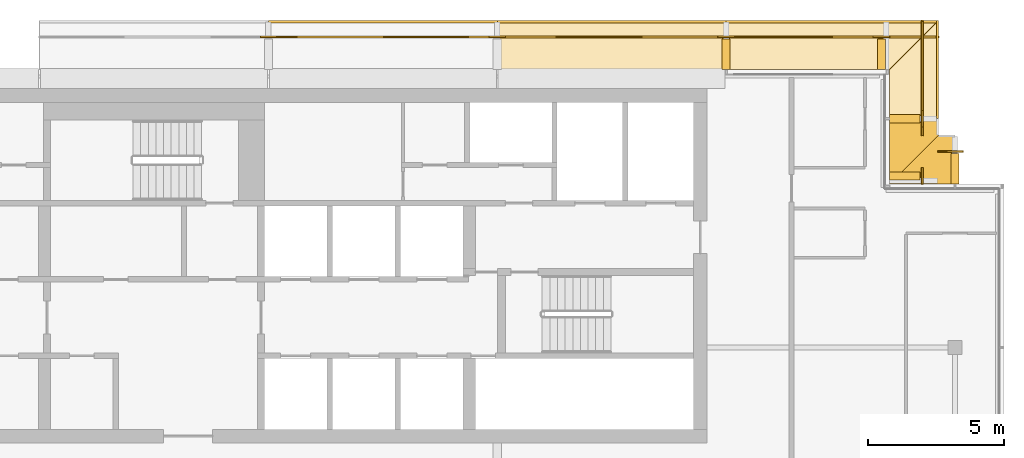
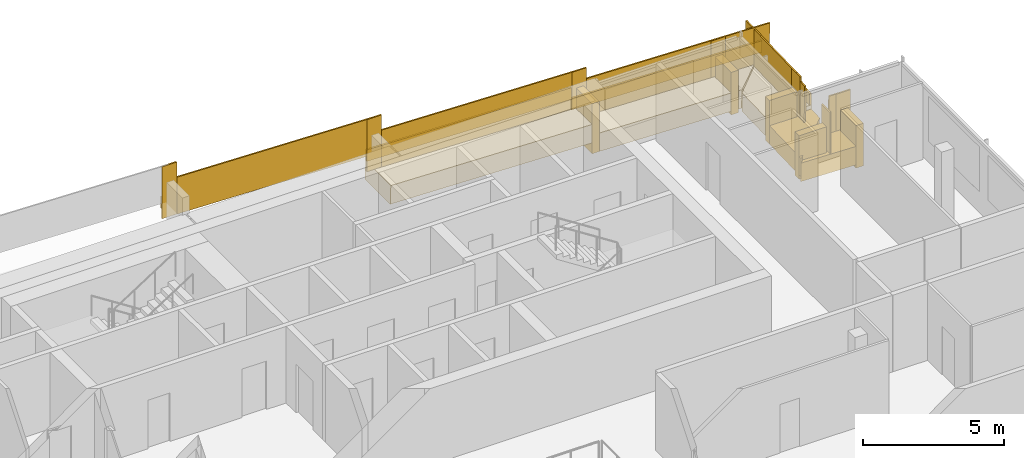
# One storey, part 20 of 22: 14 coverings, 13 railings.
"""IFC4 building model written with IfcOpenShell, lengths in metres."""

from ifc_helpers import new_model, si_unit, direction, frame, origin, origin_2d, place, context, subcontext, project, spatial, polyline, rectangle, outline, extrude, material, layer, layer_set, type_object, element, save


model = new_model("IFC4")

# Units and contexts
model_context = context("Model", 3, precision=1e-05, world=origin(), true_north=direction((0.0, 1.0)))
body_context = subcontext(model_context, "Body", "Model", "MODEL_VIEW")
ifc_project = project(units=[si_unit("LENGTHUNIT", "METRE"), si_unit("AREAUNIT", "SQUARE_METRE"), si_unit("VOLUMEUNIT", "CUBIC_METRE"), si_unit("PLANEANGLEUNIT", "RADIAN"), si_unit("MASSUNIT", "GRAM", prefix="KILO")], contexts=[model_context])

# Site, building, storey
site_placement = place(None, origin())
site = spatial("IfcSite", under=ifc_project, at=site_placement, CompositionType="ELEMENT")
building_placement = place(site_placement, origin())
building = spatial("IfcBuilding", under=site, at=building_placement, Name="Saffron Gate Tower", CompositionType="ELEMENT")
storey_placement = place(building_placement, frame((0.0, 0.0, 295.949951171875)))
storey = spatial("IfcBuildingStorey", under=building, at=storey_placement, Name="L72", CompositionType="ELEMENT", Elevation=295.949951171875)

# Coverings
ifc_material = material(Name="Timber, thermally modified ash", Category="wood")
ifc_layer_1 = layer(ifc_material, 0.800048828125)
ifc_layer_set_1 = layer_set([ifc_layer_1], Name="LD1 ledge timber")
covering_type_1 = type_object("IfcCoveringType", Name="LD1 ledge timber", PredefinedType="CLADDING", material=ifc_layer_set_1)
covering_1_placement = place(storey_placement, frame((117.0, 71.39990234375, 0.024658203125), z_axis=(0.028796646545, -2.5552475e-05, 0.999585290255), x_axis=(-0.999585290582, -4.9e-10, 0.028796646555)))
element("IfcCovering", 1, at=covering_1_placement, inside=storey, type_object=covering_type_1, Name="LEDGE", PredefinedType="CLADDING", context=body_context, shape_type="SweptSolid", body=[
    extrude(outline(polyline([(0.0, 0.0), (2.400896693699368, -2.117582368135751e-22), (0.600347949840283, -1.8000488290065384), (-8.81172729663379e-10, -1.8000488275373479), (0.0, 0.0)])), origin(), (0.0, 0.0, -1.0), 0.800048828125),
])
covering_2_placement = place(storey_placement, frame((114.60009765625, 71.39990234375, 0.28076171875), z_axis=(-7.83385e-07, -0.028875577331, 0.999583013578), x_axis=(0.0, 0.999583013578, 0.028875577331)))
element("IfcCovering", 2, at=covering_2_placement, inside=storey, type_object=covering_type_1, Name="LEDGE", PredefinedType="CLADDING", context=body_context, shape_type="SweptSolid", body=[
    extrude(outline(polyline([(0.0, 0.0), (2.4011477711054536, 0.0), (2.4011477711062814, -1.7998046874994478), (1.8007998186244996, -1.7998046875008284), (0.0, 0.0)])), origin(), (0.0, 0.0, -1.0), 0.800048828125),
])
covering_3_placement = place(storey_placement, frame((114.60009765625, 73.800048828125, 0.536865234375), z_axis=(4.3893604e-05, -0.028833291474, 0.999584233257), x_axis=(-1.926e-09, 0.99958423422, 0.028833291502)))
element("IfcCovering", 3, at=covering_3_placement, inside=storey, type_object=covering_type_1, Name="LEDGE", PredefinedType="CLADDING", context=body_context, shape_type="SweptSolid", body=[
    extrude(outline(polyline([(0.0, 0.0), (1.8007998168930421, -4.235164736271502e-22), (3.6013485518229187, -1.7998046961684937), (-3.4656747156648246e-09, -1.7998046857662044), (0.0, 0.0)])), origin(), (0.0, 0.0, -1.0), 0.800048828125),
])
covering_4_placement = place(storey_placement, frame((114.60009765625, 75.60009765625, 0.72900390625), z_axis=(0.028789985935, -2.2222876e-05, 0.999585482195), x_axis=(-0.999585482442, 1.48e-10, 0.028789985943)))
element("IfcCovering", 4, at=covering_4_placement, inside=storey, type_object=covering_type_1, Name="LEDGE", PredefinedType="CLADDING", context=body_context, shape_type="SweptSolid", body=[
    extrude(outline(polyline([(0.0, 0.0), (6.002489288708389, 0.0), (6.002489288974903, -1.7998046870555775), (-1.8005487432843987, -1.799804689099891), (0.0, 0.0)])), origin(), (0.0, 0.0, -1.0), 0.800048828125),
])
covering_5_placement = place(storey_placement, frame((108.60009765625, 75.60009765625, 1.369384765625), z_axis=(0.028790339263, 0.0, 0.999585472266), x_axis=(-0.999585472266, 0.0, 0.028790339263)))
element("IfcCovering", 5, at=covering_5_placement, inside=storey, type_object=covering_type_1, Name="LEDGE", PredefinedType="CLADDING", context=body_context, shape_type="SweptSolid", body=[
    extrude(outline(polyline([(0.0, 0.0), (8.403630022085892, 0.0), (8.403630022085892, -1.7998046875), (0.0, -1.7998046875), (0.0, 0.0)])), origin(), (0.0, 0.0, -1.0), 0.800048828125),
])
ifc_layer_2 = layer(ifc_material, 0.080078125)
ifc_layer_set_2 = layer_set([ifc_layer_2], Name="LD2 ledge planter trough")
covering_type_2 = type_object("IfcCoveringType", Name="LD2 ledge planter trough", PredefinedType="CLADDING", material=ifc_layer_set_2)
covering_6_placement = place(storey_placement, frame((116.39990234375, 73.800048828125, 0.536865234375), z_axis=(1.0, 0.0, 0.0), x_axis=(0.0, 0.999584866472, 0.028811364412)))
element("IfcCovering", 6, at=covering_6_placement, inside=storey, type_object=covering_type_2, Name="LEDGE planter trough", PredefinedType="CLADDING", context=body_context, shape_type="SweptSolid", body=[
    extrude(outline(polyline([(0.0, 0.0), (3.601348556155073, 0.0), (3.6157542383609322, 0.49979243323622236), (0.01440568220585924, 0.49979243323622236), (0.0, 0.0)])), origin(), (0.0, 0.0, -1.0), 0.080078125),
])
covering_7_placement = place(storey_placement, frame((116.39990234375, 77.39990234375, 0.67724609375), z_axis=(0.0, 1.0, 0.0), x_axis=(-0.999585630001, 0.0, 0.028784862264)))
element("IfcCovering", 7, at=covering_7_placement, inside=storey, type_object=covering_type_2, Name="LEDGE planter trough", PredefinedType="CLADDING", context=body_context, shape_type="SweptSolid", body=[
    extrude(outline(polyline([(0.0, 0.0), (7.80303803236181, 2.7755575615628914e-17), (7.817430463493663, 0.4997928150004909), (0.014392431131853373, 0.49979281500049083), (0.0, 0.0)])), origin(), (0.0, 0.0, -1.0), 0.080078125),
])
covering_8_placement = place(storey_placement, frame((108.60009765625, 77.39990234375, 1.369384765625), z_axis=(0.0, 1.0, 0.0), x_axis=(-0.999585472266, 0.0, 0.028790339263)))
element("IfcCovering", 8, at=covering_8_placement, inside=storey, type_object=covering_type_2, Name="LEDGE planter trough", PredefinedType="CLADDING", context=body_context, shape_type="SweptSolid", body=[
    extrude(outline(polyline([(0.0, 0.0), (8.403630022085892, 0.0), (8.418025191717298, 0.4997927361329725), (0.014395169631405694, 0.4997927361329725), (0.0, 0.0)])), origin(), (0.0, 0.0, -1.0), 0.080078125),
])
covering_9_placement = place(storey_placement, frame((100.199951171875, 77.39990234375, 2.265869140625), z_axis=(0.0, 1.0, 0.0), x_axis=(-0.999585448184, 0.0, 0.028791175352)))
element("IfcCovering", 9, at=covering_9_placement, inside=storey, type_object=covering_type_2, Name="LEDGE planter trough", PredefinedType="CLADDING", context=body_context, shape_type="SweptSolid", body=[
    extrude(outline(polyline([(0.0, 0.0), (8.403385982666892, 0.0), (8.417781570342743, 0.49979272409216496), (0.014395587675851172, 0.4997927240921649), (0.0, 0.0)])), origin(), (0.0, 0.0, -1.0), 0.080078125),
])
ifc_layer_3 = layer(ifc_material, 0.300048828125)
ifc_layer_set_3 = layer_set([ifc_layer_3], Name="LD3 ledge riser fin")
covering_type_3 = type_object("IfcCoveringType", Name="LD3 ledge riser fin", PredefinedType="CLADDING", material=ifc_layer_set_3)
covering_10_placement = place(storey_placement, frame((117.0, 71.9599609375, -0.91552734375), z_axis=(0.0, 0.0, 1.0), x_axis=(-1.0, 0.0, 0.0)))
element("IfcCovering", 10, at=covering_10_placement, inside=storey, type_object=covering_type_3, Name="LEDGE riser fin", PredefinedType="CLADDING", context=body_context, shape_type="SweptSolid", body=[
    extrude(rectangle(XDim=0.300048828125, YDim=1.1201171875, at=origin_2d()), origin(), (0.0, 0.0, 1.0), 1.84033203125),
])
for number, where, z_axis, x_axis, name in (
    (11, (115.159912109375, 71.699951171875, -0.7060546875), (0.0, 0.0, 1.0), (0.0, 1.0, 0.0), "LEDGE riser fin"),
    (12, (115.159912109375, 73.800048828125, -0.4501953125), (0.0, 0.0, 1.0), (0.0, 1.0, 0.0), "LEDGE riser fin"),
):
    element("IfcCovering", number, at=place(storey_placement, frame(where, z_axis=z_axis, x_axis=x_axis)), inside=storey, type_object=covering_type_3, Name=name, PredefinedType="CLADDING", context=body_context, shape_type="SweptSolid", body=[
        extrude(rectangle(XDim=0.300048828125, YDim=1.1201171875, at=origin_2d()), origin(), (0.0, 0.0, 1.0), 1.886962890625),
    ])
covering_11_placement = place(storey_placement, frame((114.300048828125, 76.159912109375, -0.211181640625), z_axis=(0.0, 0.0, 1.0), x_axis=(-1.0, 0.0, 0.0)))
element("IfcCovering", 13, at=covering_11_placement, inside=storey, type_object=covering_type_3, Name="LEDGE riser fin", PredefinedType="CLADDING", context=body_context, shape_type="SweptSolid", body=[
    extrude(rectangle(XDim=0.300048828125, YDim=1.1201171875, at=origin_2d()), origin(), (0.0, 0.0, 1.0), 1.84033203125),
])
covering_12_placement = place(storey_placement, frame((108.60009765625, 76.159912109375, 0.101806640625), z_axis=(0.0, 0.0, 1.0), x_axis=(-1.0, 0.0, 0.0)))
element("IfcCovering", 14, at=covering_12_placement, inside=storey, type_object=covering_type_3, Name="LEDGE riser fin", PredefinedType="CLADDING", context=body_context, shape_type="SweptSolid", body=[
    extrude(rectangle(XDim=0.300048828125, YDim=1.1201171875, at=origin_2d()), origin(), (0.0, 0.0, 1.0), 2.16748046875),
])

# Railings
railing_type = type_object("IfcRailingType", Name="LG1 ledge balustrade", PredefinedType="BALUSTRADE", material=ifc_material)
railing_1_placement = place(storey_placement, frame((117.0, 72.60009765625, 0.024658203125)))
element("IfcRailing", 15, at=railing_1_placement, inside=storey, type_object=railing_type, Name="LEDGE BALUSTRADE", PredefinedType="BALUSTRADE", context=body_context, shape_type="SweptSolid", body=[
    extrude(rectangle(XDim=0.06005859375, YDim=1.60009765625, at=origin_2d()), frame((0.0, 0.0, 0.800048828125), z_axis=(-0.999583081391, 0.0, 0.028873229772), x_axis=(0.0, -1.0, 0.0)), (0.0, 0.0, 1.0), 0.600341796875),
])
railing_2_placement = place(storey_placement, frame((117.300048828125, 72.60009765625, -0.115478515625)))
element("IfcRailing", 16, at=railing_2_placement, inside=storey, type_object=railing_type, Name="LEDGE BALUSTRADE", PredefinedType="BALUSTRADE", context=body_context, shape_type="SweptSolid", body=[
    extrude(rectangle(XDim=0.06005859375, YDim=1.740234375, at=origin_2d()), frame((0.0, 0.0, 0.8701171875), z_axis=(-1.0, 0.0, 0.0), x_axis=(0.0, -1.0, 0.0)), (0.0, 0.0, 1.0), 0.60009765625),
])
railing_3_placement = place(storey_placement, frame((115.800048828125, 73.199951171875, 0.332763671875)))
element("IfcRailing", 17, at=railing_3_placement, inside=storey, type_object=railing_type, Name="LEDGE BALUSTRADE", PredefinedType="BALUSTRADE", context=body_context, shape_type="SweptSolid", body=[
    extrude(rectangle(XDim=0.06005859375, YDim=1.60009765625, at=origin_2d()), frame((0.0, 0.0, 0.800048828125), z_axis=(0.0, 0.999583081391, 0.028873229772), x_axis=(-1.0, 0.0, 0.0)), (0.0, 0.0, 1.0), 0.600341796875),
])
railing_4_placement = place(storey_placement, frame((115.800048828125, 71.39990234375, 0.09375)))
element("IfcRailing", 18, at=railing_4_placement, inside=storey, type_object=railing_type, Name="LEDGE BALUSTRADE", PredefinedType="BALUSTRADE", context=body_context, shape_type="SweptSolid", body=[
    extrude(rectangle(XDim=0.06005859375, YDim=1.787109375, at=origin_2d()), frame((0.0, 0.0, 0.8935546875), z_axis=(0.0, 1.0, 0.0), x_axis=(-1.0, 0.0, 0.0)), (0.0, 0.0, 1.0), 0.60009765625),
])
railing_5_placement = place(storey_placement, frame((115.800048828125, 73.800048828125, 0.536865234375)))
element("IfcRailing", 19, at=railing_5_placement, inside=storey, type_object=railing_type, Name="LEDGE BALUSTRADE", PredefinedType="BALUSTRADE", context=body_context, shape_type="SweptSolid", body=[
    extrude(rectangle(XDim=0.06005859375, YDim=1.60009765625, at=origin_2d()), frame((0.0, 0.0, 0.800048828125), z_axis=(0.0, 0.999584866472, 0.028811364412), x_axis=(-1.0, 0.0, 0.0)), (0.0, 0.0, 1.0), 3.601318359375),
])
railing_6_placement = place(storey_placement, frame((115.800048828125, 73.5, 0.35009765625)))
element("IfcRailing", 20, at=railing_6_placement, inside=storey, type_object=railing_type, Name="LEDGE BALUSTRADE", PredefinedType="BALUSTRADE", context=body_context, shape_type="SweptSolid", body=[
    extrude(rectangle(XDim=0.06005859375, YDim=1.787109375, at=origin_2d()), frame((0.0, 0.0, 0.8935546875), z_axis=(0.0, 1.0, 0.0), x_axis=(-1.0, 0.0, 0.0)), (0.0, 0.0, 1.0), 0.60009765625),
])
railing_7_placement = place(storey_placement, frame((116.39990234375, 76.800048828125, 0.67724609375)))
element("IfcRailing", 21, at=railing_7_placement, inside=storey, type_object=railing_type, Name="LEDGE BALUSTRADE", PredefinedType="BALUSTRADE", context=body_context, shape_type="SweptSolid", body=[
    extrude(rectangle(XDim=0.06005859375, YDim=1.60009765625, at=origin_2d()), frame((0.0, 0.0, 0.800048828125), z_axis=(-0.999585630001, 0.0, 0.028784862264), x_axis=(0.0, -1.0, 0.0)), (0.0, 0.0, 1.0), 7.802978515625),
])
railing_8_placement = place(storey_placement, frame((114.60009765625, 76.800048828125, 0.5888671875)))
element("IfcRailing", 22, at=railing_8_placement, inside=storey, type_object=railing_type, Name="LEDGE BALUSTRADE", PredefinedType="BALUSTRADE", context=body_context, shape_type="SweptSolid", body=[
    extrude(rectangle(XDim=0.06005859375, YDim=1.740234375, at=origin_2d()), frame((0.0, 0.0, 0.8701171875), z_axis=(-1.0, 0.0, 0.0), x_axis=(0.0, -1.0, 0.0)), (0.0, 0.0, 1.0), 0.60009765625),
])
railing_9_placement = place(storey_placement, frame((108.60009765625, 76.800048828125, 1.369384765625)))
element("IfcRailing", 23, at=railing_9_placement, inside=storey, type_object=railing_type, Name="LEDGE BALUSTRADE", PredefinedType="BALUSTRADE", context=body_context, shape_type="SweptSolid", body=[
    extrude(rectangle(XDim=0.06005859375, YDim=1.60009765625, at=origin_2d()), frame((0.0, 0.0, 0.800048828125), z_axis=(-0.999585472266, 0.0, 0.028790339263), x_axis=(0.0, -1.0, 0.0)), (0.0, 0.0, 1.0), 8.403564453125),
])
railing_10_placement = place(storey_placement, frame((108.89990234375, 76.800048828125, 0.90185546875)))
element("IfcRailing", 24, at=railing_10_placement, inside=storey, type_object=railing_type, Name="LEDGE BALUSTRADE", PredefinedType="BALUSTRADE", context=body_context, shape_type="SweptSolid", body=[
    extrude(rectangle(XDim=0.06005859375, YDim=2.0673828125, at=origin_2d()), frame((0.0, 0.0, 1.03369140625), z_axis=(-1.0, 0.0, 0.0), x_axis=(0.0, -1.0, 0.0)), (0.0, 0.0, 1.0), 0.599853515625),
])
railing_11_placement = place(storey_placement, frame((100.199951171875, 76.800048828125, 2.265869140625)))
element("IfcRailing", 25, at=railing_11_placement, inside=storey, type_object=railing_type, Name="LEDGE BALUSTRADE", PredefinedType="BALUSTRADE", context=body_context, shape_type="SweptSolid", body=[
    extrude(rectangle(XDim=0.06005859375, YDim=1.60009765625, at=origin_2d()), frame((0.0, 0.0, 0.800048828125), z_axis=(-0.999585448184, 0.0, 0.028791175352), x_axis=(0.0, -1.0, 0.0)), (0.0, 0.0, 1.0), 8.4033203125),
])
for number, where, name in (
    (26, (100.5, 76.800048828125, 1.611328125), "LEDGE BALUSTRADE"),
    (27, (92.10009765625, 76.800048828125, 2.5078125), "LEDGE BALUSTRADE"),
):
    element("IfcRailing", number, at=place(storey_placement, frame(where)), inside=storey, type_object=railing_type, Name=name, PredefinedType="BALUSTRADE", context=body_context, shape_type="SweptSolid", body=[
        extrude(rectangle(XDim=0.06005859375, YDim=2.25439453125, at=origin_2d()), frame((0.0, 0.0, 1.127197265625), z_axis=(-1.0, 0.0, 0.0), x_axis=(0.0, -1.0, 0.0)), (0.0, 0.0, 1.0), 0.60009765625),
    ])

save(model, "model.ifc")
